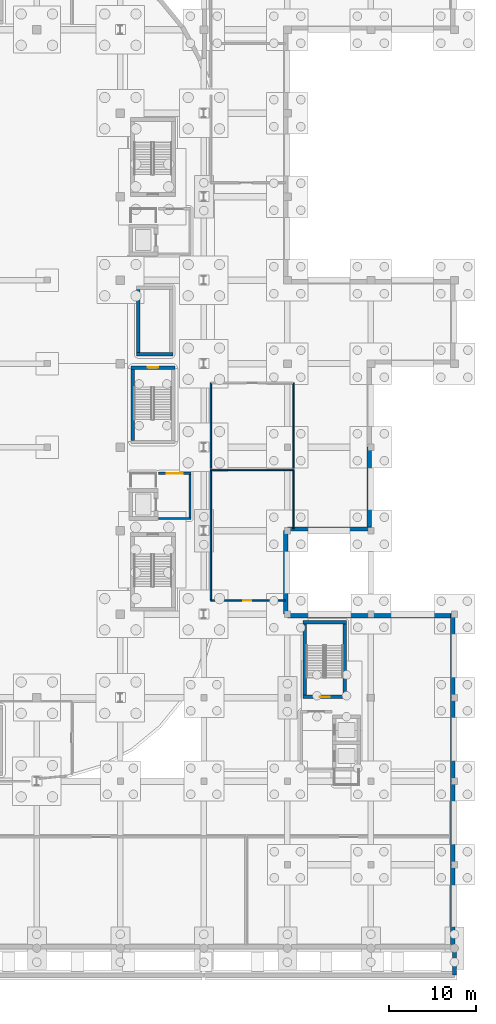
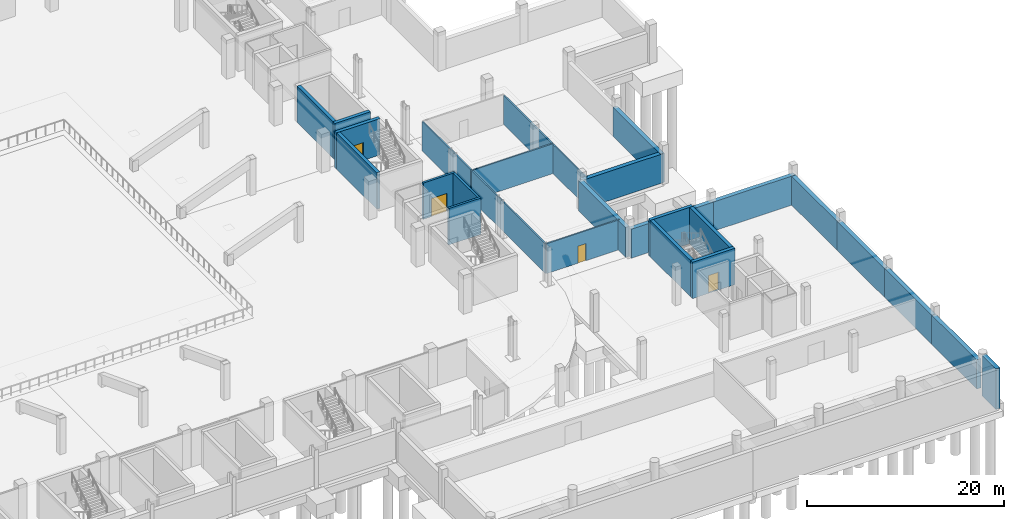
# One storey, part 33 of 67: 27 walls, 4 doors, 4 openings.
"""IFC4 building model written with IfcOpenShell, lengths in metres."""

from ifc_helpers import new_model, si_unit, direction, frame, frame_2d, origin, place, context, subcontext, project, spatial, rectangle, extrude, material, layer, layer_set, type_object, element, fill, save


model = new_model("IFC4")

# Units and contexts
model_context = context("Model", 3, precision=1e-05, world=origin(), true_north=direction((0.0, 1.0)))
body_context = subcontext(model_context, "Body", "Model", "MODEL_VIEW")
ifc_project = project(units=[si_unit("LENGTHUNIT", "METRE"), si_unit("AREAUNIT", "SQUARE_METRE"), si_unit("VOLUMEUNIT", "CUBIC_METRE"), si_unit("PLANEANGLEUNIT", "RADIAN"), si_unit("MASSUNIT", "GRAM", prefix="KILO")], contexts=[model_context])

# Site, building, storey
site_placement = place(None, origin())
site = spatial("IfcSite", under=ifc_project, at=site_placement, CompositionType="ELEMENT")
building_placement = place(site_placement, origin())
building = spatial("IfcBuilding", under=site, at=building_placement, Name="Caelomonte Colonnade Arena", CompositionType="ELEMENT")
storey_placement = place(building_placement, frame((0.0, 0.0, -4.800048828125)))
storey = spatial("IfcBuildingStorey", under=building, at=storey_placement, Name="B1", CompositionType="ELEMENT", Elevation=-4.800048828125)

# Walls
ifc_material_1 = material(Name="Concrete C40/50", Category="concrete")
ifc_layer_1 = layer(ifc_material_1, 0.47998046875)
ifc_layer_set_1 = layer_set([ifc_layer_1], Name="Concrete C40/50")
wall_type_1 = type_object("IfcWallType", Name="ENV-WL-RET48", PredefinedType="USERDEFINED", material=ifc_layer_set_1)
wall_1_placement = place(storey_placement, frame((192.0, -3.10009765625, -0.449951171875), z_axis=(0.0, 0.0, 1.0), x_axis=(0.0, 1.0, 0.0)))
element("IfcWall", 1, at=wall_1_placement, inside=storey, type_object=wall_type_1, Name="Portico forecourt stepped retaining plinth wall RW-V3-PLINTH-E", ObjectType="RETAINING WALL", PredefinedType="USERDEFINED", context=body_context, shape_type="SweptSolid", body=[
    extrude(rectangle(XDim=2.85009765625, YDim=0.47998046875, at=frame_2d((1.425048828125, 0.0))), origin(), (0.0, 0.0, 1.0), 5.030029296875),
])
wall_2_placement = place(storey_placement, frame((191.820068359375, 0.455078125, 0.0), z_axis=(0.0, 0.0, 1.0), x_axis=(0.0, 1.0, 0.0)))
element("IfcWall", 2, at=wall_2_placement, inside=storey, type_object=wall_type_1, Name="B1 exterior retaining plinth wall EW-B1-0025", ObjectType="RETAINING WALL", PredefinedType="USERDEFINED", context=body_context, shape_type="SweptSolid", body=[
    extrude(rectangle(XDim=9.14501953125, YDim=0.47998046875, at=frame_2d((4.572509765625, 0.0))), origin(), (0.0, 0.0, 1.0), 3.60009765625),
])
wall_3_placement = place(storey_placement, frame((191.820068359375, 9.60009765625, 0.0), z_axis=(0.0, 0.0, 1.0), x_axis=(0.0, 1.0, 0.0)))
element("IfcWall", 3, at=wall_3_placement, inside=storey, type_object=wall_type_1, Name="B1 exterior retaining plinth wall EW-B1-0026", ObjectType="RETAINING WALL", PredefinedType="USERDEFINED", context=body_context, shape_type="SweptSolid", body=[
    extrude(rectangle(XDim=9.599853515625, YDim=0.47998046875, at=frame_2d((4.7998046875, 0.0))), origin(), (0.0, 0.0, 1.0), 3.60009765625),
])
wall_4_placement = place(storey_placement, frame((191.820068359375, 19.199951171875, 0.0), z_axis=(0.0, 0.0, 1.0), x_axis=(0.0, 1.0, 0.0)))
element("IfcWall", 4, at=wall_4_placement, inside=storey, type_object=wall_type_1, Name="B1 exterior retaining plinth wall EW-B1-0027", ObjectType="RETAINING WALL", PredefinedType="USERDEFINED", context=body_context, shape_type="SweptSolid", body=[
    extrude(rectangle(XDim=9.60009765625, YDim=0.47998046875, at=frame_2d((4.800048828125, 0.0))), origin(), (0.0, 0.0, 1.0), 3.572998046875),
])
wall_5_placement = place(storey_placement, frame((191.820068359375, 28.800048828125, 0.0), z_axis=(0.0, 0.0, 1.0), x_axis=(0.0, 1.0, 0.0)))
element("IfcWall", 5, at=wall_5_placement, inside=storey, type_object=wall_type_1, Name="B1 exterior retaining plinth wall EW-B1-0028", ObjectType="RETAINING WALL", PredefinedType="USERDEFINED", context=body_context, shape_type="SweptSolid", body=[
    extrude(rectangle(XDim=9.599853515625, YDim=0.47998046875, at=frame_2d((4.7998046875, 0.0))), origin(), (0.0, 0.0, 1.0), 3.572998046875),
])
wall_6_placement = place(storey_placement, frame((192.0, 38.219970703125, 0.0), z_axis=(0.0, 0.0, 1.0), x_axis=(-1.0, 0.0, 0.0)))
element("IfcWall", 6, at=wall_6_placement, inside=storey, type_object=wall_type_1, Name="B1 exterior retaining plinth wall EW-B1-0029", ObjectType="RETAINING WALL", PredefinedType="USERDEFINED", context=body_context, shape_type="SweptSolid", body=[
    extrude(rectangle(XDim=9.60009765625, YDim=0.47998046875, at=frame_2d((4.800048828125, 0.0))), origin(), (0.0, 0.0, 1.0), 3.60009765625),
])
wall_7_placement = place(storey_placement, frame((182.39990234375, 38.219970703125, 0.0), z_axis=(0.0, 0.0, 1.0), x_axis=(-1.0, 0.0, 0.0)))
element("IfcWall", 7, at=wall_7_placement, inside=storey, type_object=wall_type_1, Name="B1 exterior retaining plinth wall EW-B1-0030", ObjectType="RETAINING WALL", PredefinedType="USERDEFINED", context=body_context, shape_type="SweptSolid", body=[
    extrude(rectangle(XDim=9.599853515625, YDim=0.47998046875, at=frame_2d((4.7998046875, 0.0))), origin(), (0.0, 0.0, 1.0), 3.60009765625),
])
wall_8_placement = place(storey_placement, frame((172.6201171875, 38.39990234375, 0.0), z_axis=(0.0, 0.0, 1.0), x_axis=(0.0, 1.0, 0.0)))
element("IfcWall", 8, at=wall_8_placement, inside=storey, type_object=wall_type_1, Name="B1 exterior retaining plinth wall EW-B1-0031", ObjectType="RETAINING WALL", PredefinedType="USERDEFINED", context=body_context, shape_type="SweptSolid", body=[
    extrude(rectangle(XDim=9.60009765625, YDim=0.47998046875, at=frame_2d((4.800048828125, 0.0))), origin(), (0.0, 0.0, 1.0), 3.699951171875),
])
wall_9_placement = place(storey_placement, frame((172.800048828125, 48.179931640625, 0.0), z_axis=(0.0, 0.0, 1.0), x_axis=(1.0, 0.0, 0.0)))
element("IfcWall", 9, at=wall_9_placement, inside=storey, type_object=wall_type_1, Name="B1 exterior retaining plinth wall EW-B1-0032", ObjectType="RETAINING WALL", PredefinedType="USERDEFINED", context=body_context, shape_type="SweptSolid", body=[
    extrude(rectangle(XDim=9.599853515625, YDim=0.47998046875, at=frame_2d((4.7998046875, 0.0))), origin(), (0.0, 0.0, 1.0), 3.60009765625),
])
wall_10_placement = place(storey_placement, frame((182.219970703125, 48.0, 0.0), z_axis=(0.0, 0.0, 1.0), x_axis=(0.0, 1.0, 0.0)))
element("IfcWall", 10, at=wall_10_placement, inside=storey, type_object=wall_type_1, Name="B1 exterior retaining plinth wall EW-B1-0033", ObjectType="RETAINING WALL", PredefinedType="USERDEFINED", context=body_context, shape_type="SweptSolid", body=[
    extrude(rectangle(XDim=9.60009765625, YDim=0.47998046875, at=frame_2d((4.800048828125, 0.0))), origin(), (0.0, 0.0, 1.0), 3.60009765625),
])
ifc_layer_2 = layer(ifc_material_1, 0.260009765625)
ifc_layer_set_2 = layer_set([ifc_layer_2], Name="Concrete C40/50")
wall_type_2 = type_object("IfcWallType", Name="INT-WL-FW26", PredefinedType="SOLIDWALL", material=ifc_layer_set_2)
wall_11_placement = place(storey_placement, frame((157.969970703125, 49.39990234375, 0.0), z_axis=(0.0, 0.0, 1.0), x_axis=(1.0, 0.0, 0.0)))
element("IfcWall", 11, at=wall_11_placement, inside=storey, type_object=wall_type_2, Name="FW-C2-LB B1 south enclosure wall", PredefinedType="SOLIDWALL", context=body_context, shape_type="SweptSolid", body=[
    extrude(rectangle(XDim=3.760009765625, YDim=0.260009765625, at=frame_2d((1.8798828125, 0.0))), origin(), (0.0, 0.0, 1.0), 4.5),
])

# Wall, opening, door
wall_12_placement = place(storey_placement, frame((161.72998046875, 54.60009765625, 0.0), z_axis=(0.0, 0.0, 1.0), x_axis=(-1.0, 0.0, 0.0)))
wall_12 = element("IfcWall", 12, at=wall_12_placement, inside=storey, type_object=wall_type_2, Name="FW-C2-LB B1 north enclosure wall", PredefinedType="SOLIDWALL", context=body_context, shape_type="SweptSolid", body=[
    extrude(rectangle(XDim=3.760009765625, YDim=0.260009765625, at=frame_2d((1.8798828125, 0.0))), origin(), (0.0, 0.0, 1.0), 4.5),
])
opening_1_placement = place(wall_12_placement, frame((2.80517578125, 0.0, 0.0), z_axis=(0.0, 0.0, 1.0), x_axis=(-1.0, 0.0, 0.0)))
opening_1 = element("IfcOpeningElement", 13, at=opening_1_placement, cuts=wall_12, Name="Opening FD-2", PredefinedType="OPENING", context=body_context, shape_type="SweptSolid", body=[
    extrude(rectangle(XDim=1.85009765625, YDim=2.25, at=frame_2d((0.925048828125, 1.125))), frame((0.0, 0.139892578125, 0.0), z_axis=(0.0, -1.0, 0.0), x_axis=(1.0, 0.0, 0.0)), (0.0, 0.0, 1.0), 0.280029296875),
])
ifc_material_2 = material(Name="Fire-rated double steel door", Category="steel")
door_type_1 = type_object("IfcDoorType", Name="INT-DR-FD90B", OperationType="DOUBLE_DOOR_SINGLE_SWING", PredefinedType="DOOR", material=ifc_material_2)
door_1_placement = place(opening_1_placement, origin())
door_1 = element("IfcDoor", 14, at=door_1_placement, inside=storey, type_object=door_type_1, Name="Core C2 B1 lobby fire door", OperationType="DOUBLE_DOOR_SINGLE_SWING", OverallHeight=2.25, OverallWidth=1.85009765625, PredefinedType="DOOR", context=body_context, shape_type="SweptSolid", body=[
    extrude(rectangle(XDim=1.85009765625, YDim=2.25, at=frame_2d((0.925048828125, 1.125))), frame((0.0, 0.02490234375, 0.0), z_axis=(0.0, -1.0, 0.0), x_axis=(1.0, 0.0, 0.0)), (0.0, 0.0, 1.0), 0.050048828125),
])
fill(opening_1, door_1)

# Wall
wall_13_placement = place(storey_placement, frame((161.60009765625, 49.530029296875, 0.0), z_axis=(0.0, 0.0, 1.0), x_axis=(0.0, 1.0, 0.0)))
element("IfcWall", 15, at=wall_13_placement, inside=storey, type_object=wall_type_2, Name="FW-C2-LB B1 east enclosure wall", PredefinedType="SOLIDWALL", context=body_context, shape_type="SweptSolid", body=[
    extrude(rectangle(XDim=4.93994140625, YDim=0.260009765625, at=frame_2d((2.469970703125, 0.0))), origin(), (0.0, 0.0, 1.0), 4.5),
])

# Wall, opening, door
ifc_material_3 = material(Name="Moisture-resistant WC partition")
ifc_layer_3 = layer(ifc_material_3, 0.159912109375)
ifc_layer_set_3 = layer_set([ifc_layer_3], Name="Moisture-resistant WC partition")
wall_type_3 = type_object("IfcWallType", Name="INT-WL-PT16", PredefinedType="PARTITIONING", material=ifc_layer_set_3)
wall_14_placement = place(storey_placement, frame((172.580078125, 40.0, 0.0), z_axis=(0.0, 0.0, 1.0), x_axis=(-1.0, 0.0, 0.0)))
wall_14 = element("IfcWall", 16, at=wall_14_placement, inside=storey, type_object=wall_type_3, Name="B1 Event Level Spectator Restroom partition 21", PredefinedType="PARTITIONING", context=body_context, shape_type="SweptSolid", body=[
    extrude(rectangle(XDim=8.580078125, YDim=0.159912109375, at=frame_2d((4.2900390625, 0.0))), origin(), (0.0, 0.0, 1.0), 3.699951171875),
])
opening_2_placement = place(wall_14_placement, frame((3.95751953125, 0.0, 0.0), z_axis=(0.0, 0.0, 1.0), x_axis=(1.0, 0.0, 0.0)))
opening_2 = element("IfcOpeningElement", 17, at=opening_2_placement, cuts=wall_14, Name="Opening D-B1-005", PredefinedType="OPENING", context=body_context, shape_type="SweptSolid", body=[
    extrude(rectangle(XDim=0.919921875, YDim=2.1201171875, at=frame_2d((0.4599609375, 1.06005859375))), frame((0.0, 0.08984375, 0.0), z_axis=(0.0, -1.0, 0.0), x_axis=(1.0, 0.0, 0.0)), (0.0, 0.0, 1.0), 0.179931640625),
])
ifc_material_4 = material(Name="Laminate restroom entrance door")
door_type_2 = type_object("IfcDoorType", Name="INT-DR-WC1", OperationType="NOTDEFINED", PredefinedType="DOOR", material=ifc_material_4)
door_2_placement = place(opening_2_placement, origin())
door_2 = element("IfcDoor", 18, at=door_2_placement, inside=storey, type_object=door_type_2, Name="B1 Event Level Spectator Restroom door D-B1-005", OperationType="SINGLE_SWING_LEFT", OverallHeight=2.1201171875, OverallWidth=0.919921875, PredefinedType="DOOR", context=body_context, shape_type="SweptSolid", body=[
    extrude(rectangle(XDim=0.919921875, YDim=2.1201171875, at=frame_2d((0.4599609375, 1.06005859375))), frame((0.0, 0.02490234375, 0.0), z_axis=(0.0, -1.0, 0.0), x_axis=(1.0, 0.0, 0.0)), (0.0, 0.0, 1.0), 0.050048828125),
])
fill(opening_2, door_2)

# Walls
wall_15_placement = place(storey_placement, frame((164.0, 40.0, 0.0), z_axis=(0.0, 0.0, 1.0), x_axis=(0.0, 1.0, 0.0)))
element("IfcWall", 19, at=wall_15_placement, inside=storey, type_object=wall_type_3, Name="B1 Event Level Spectator Restroom partition 22", PredefinedType="PARTITIONING", context=body_context, shape_type="SweptSolid", body=[
    extrude(rectangle(XDim=15.0, YDim=0.159912109375, at=frame_2d((7.5, 0.0))), origin(), (0.0, 0.0, 1.0), 3.654296875),
])
wall_16_placement = place(storey_placement, frame((164.0, 55.0, 0.0), z_axis=(0.0, 0.0, 1.0), x_axis=(1.0, 0.0, 0.0)))
element("IfcWall", 20, at=wall_16_placement, inside=storey, type_object=wall_type_3, Name="B1 Event Level Spectator Restroom partition 23", PredefinedType="PARTITIONING", context=body_context, shape_type="SweptSolid", body=[
    extrude(rectangle(XDim=9.5, YDim=0.159912109375, at=frame_2d((4.75, 0.0))), origin(), (0.0, 0.0, 1.0), 3.699951171875),
])
wall_17_placement = place(storey_placement, frame((173.5, 55.0, 0.0), z_axis=(0.0, 0.0, 1.0), x_axis=(0.0, -1.0, 0.0)))
element("IfcWall", 21, at=wall_17_placement, inside=storey, type_object=wall_type_3, Name="B1 Event Level Spectator Restroom partition 24", PredefinedType="PARTITIONING", context=body_context, shape_type="SweptSolid", body=[
    extrude(rectangle(XDim=6.780029296875, YDim=0.159912109375, at=frame_2d((3.39013671875, 0.0))), origin(), (0.0, 0.0, 1.0), 3.60009765625),
])
wall_18_placement = place(storey_placement, frame((173.5, 65.0, 0.0), z_axis=(0.0, 0.0, 1.0), x_axis=(0.0, -1.0, 0.0)))
element("IfcWall", 22, at=wall_18_placement, inside=storey, type_object=wall_type_3, Name="B1 Event Level Accessible WC partition 26", PredefinedType="PARTITIONING", context=body_context, shape_type="SweptSolid", body=[
    extrude(rectangle(XDim=9.800048828125, YDim=0.159912109375, at=frame_2d((4.89990234375, 0.0))), origin(), (0.0, 0.0, 1.0), 3.60009765625),
])
wall_19_placement = place(storey_placement, frame((164.0, 55.199951171875, 0.0), z_axis=(0.0, 0.0, 1.0), x_axis=(0.0, 1.0, 0.0)))
element("IfcWall", 23, at=wall_19_placement, inside=storey, type_object=wall_type_3, Name="B1 Event Level Accessible WC partition 27", PredefinedType="PARTITIONING", context=body_context, shape_type="SweptSolid", body=[
    extrude(rectangle(XDim=9.800048828125, YDim=0.159912109375, at=frame_2d((4.89990234375, 0.0))), origin(), (0.0, 0.0, 1.0), 3.654296875),
])

# Wall, opening, door
ifc_material_5 = material(Name="Concrete C50/60", Category="concrete")
ifc_layer_4 = layer(ifc_material_5, 0.39990234375)
ifc_layer_set_4 = layer_set([ifc_layer_4], Name="Concrete C50/60")
wall_type_4 = type_object("IfcWallType", Name="INT-WL-SH40", PredefinedType="SHEAR", material=ifc_layer_set_4)
wall_20_placement = place(storey_placement, frame((174.60009765625, 28.89990234375, 0.0), z_axis=(0.0, 0.0, 1.0), x_axis=(1.0, 0.0, 0.0)))
wall_20 = element("IfcWall", 24, at=wall_20_placement, inside=storey, type_object=wall_type_4, Name="CW-C5-ST B1 south enclosure wall", PredefinedType="SHEAR", context=body_context, shape_type="SweptSolid", body=[
    extrude(rectangle(XDim=5.0, YDim=0.39990234375, at=frame_2d((2.5, 0.0))), origin(), (0.0, 0.0, 1.0), 4.5),
])
opening_3_placement = place(wall_20_placement, frame((3.099853515625, 0.0, 0.0), z_axis=(0.0, 0.0, 1.0), x_axis=(-1.0, 0.0, 0.0)))
opening_3 = element("IfcOpeningElement", 25, at=opening_3_placement, cuts=wall_20, Name="Opening FD-1", PredefinedType="OPENING", context=body_context, shape_type="SweptSolid", body=[
    extrude(rectangle(XDim=1.199951171875, YDim=2.199951171875, at=frame_2d((0.60009765625, 1.10009765625))), frame((0.0, 0.2099609375, 0.0), z_axis=(0.0, -1.0, 0.0), x_axis=(1.0, 0.0, 0.0)), (0.0, 0.0, 1.0), 0.419921875),
])
ifc_material_6 = material(Name="Fire-rated steel door", Category="steel")
door_type_3 = type_object("IfcDoorType", Name="INT-DR-FD90A", OperationType="NOTDEFINED", PredefinedType="DOOR", material=ifc_material_6)
door_3_placement = place(opening_3_placement, origin())
door_3 = element("IfcDoor", 26, at=door_3_placement, inside=storey, type_object=door_type_3, Name="Core C5 B1 exit stair fire door", OperationType="SINGLE_SWING_RIGHT", OverallHeight=2.199951171875, OverallWidth=1.199951171875, PredefinedType="DOOR", context=body_context, shape_type="SweptSolid", body=[
    extrude(rectangle(XDim=1.199951171875, YDim=2.199951171875, at=frame_2d((0.60009765625, 1.10009765625))), frame((0.0, 0.02490234375, 0.0), z_axis=(0.0, -1.0, 0.0), x_axis=(1.0, 0.0, 0.0)), (0.0, 0.0, 1.0), 0.050048828125),
])
fill(opening_3, door_3)

# Walls
wall_21_placement = place(storey_placement, frame((179.60009765625, 37.449951171875, 0.0), z_axis=(0.0, 0.0, 1.0), x_axis=(-1.0, 0.0, 0.0)))
element("IfcWall", 27, at=wall_21_placement, inside=storey, type_object=wall_type_4, Name="CW-C5-ST B1 north enclosure wall", PredefinedType="SHEAR", context=body_context, shape_type="SweptSolid", body=[
    extrude(rectangle(XDim=5.0, YDim=0.39990234375, at=frame_2d((2.5, 0.0))), origin(), (0.0, 0.0, 1.0), 4.5),
])
for number, where, z_axis, x_axis, name in (
    (28, (174.800048828125, 37.25, 0.0), (0.0, 0.0, 1.0), (0.0, -1.0, 0.0), "CW-C5-ST B1 west enclosure wall"),
    (29, (179.39990234375, 29.10009765625, 0.0), (0.0, 0.0, 1.0), (0.0, 1.0, 0.0), "CW-C5-ST B1 east enclosure wall"),
):
    element("IfcWall", number, at=place(storey_placement, frame(where, z_axis=z_axis, x_axis=x_axis)), inside=storey, type_object=wall_type_4, Name=name, PredefinedType="SHEAR", context=body_context, shape_type="SweptSolid", body=[
        extrude(rectangle(XDim=8.14990234375, YDim=0.39990234375, at=frame_2d((4.074951171875, 0.0))), origin(), (0.0, 0.0, 1.0), 4.5),
    ])

# Wall, opening, door
wall_22_placement = place(storey_placement, frame((159.89990234375, 66.75, 0.0), z_axis=(0.0, 0.0, 1.0), x_axis=(-1.0, 0.0, 0.0)))
wall_22 = element("IfcWall", 30, at=wall_22_placement, inside=storey, type_object=wall_type_4, Name="CW-ST-10 B1 north enclosure wall", PredefinedType="SHEAR", context=body_context, shape_type="SweptSolid", body=[
    extrude(rectangle(XDim=5.099853515625, YDim=0.39990234375, at=frame_2d((2.5498046875, 0.0))), origin(), (0.0, 0.0, 1.0), 4.5),
])
opening_4_placement = place(wall_22_placement, frame((3.14990234375, 0.0, 0.0), z_axis=(0.0, 0.0, 1.0), x_axis=(-1.0, 0.0, 0.0)))
opening_4 = element("IfcOpeningElement", 31, at=opening_4_placement, cuts=wall_22, Name="Opening FD-1", PredefinedType="OPENING", context=body_context, shape_type="SweptSolid", body=[
    extrude(rectangle(XDim=1.199951171875, YDim=2.199951171875, at=frame_2d((0.60009765625, 1.10009765625))), frame((0.0, 0.2099609375, 0.0), z_axis=(0.0, -1.0, 0.0), x_axis=(1.0, 0.0, 0.0)), (0.0, 0.0, 1.0), 0.419921875),
])
door_4_placement = place(opening_4_placement, origin())
door_4 = element("IfcDoor", 32, at=door_4_placement, inside=storey, type_object=door_type_3, Name="Protected exit stair ST-10 B1 fire door", OperationType="SINGLE_SWING_LEFT", OverallHeight=2.199951171875, OverallWidth=1.199951171875, PredefinedType="DOOR", context=body_context, shape_type="SweptSolid", body=[
    extrude(rectangle(XDim=1.199951171875, YDim=2.199951171875, at=frame_2d((0.60009765625, 1.10009765625))), frame((0.0, 0.02490234375, 0.0), z_axis=(0.0, -1.0, 0.0), x_axis=(1.0, 0.0, 0.0)), (0.0, 0.0, 1.0), 0.050048828125),
])
fill(opening_4, door_4)

# Walls
wall_23_placement = place(storey_placement, frame((155.0, 66.550048828125, 0.0), z_axis=(0.0, 0.0, 1.0), x_axis=(0.0, -1.0, 0.0)))
element("IfcWall", 33, at=wall_23_placement, inside=storey, type_object=wall_type_4, Name="CW-ST-10 B1 west enclosure wall", PredefinedType="SHEAR", context=body_context, shape_type="SweptSolid", body=[
    extrude(rectangle(XDim=8.150146484375, YDim=0.39990234375, at=frame_2d((4.0751953125, 0.0))), origin(), (0.0, 0.0, 1.0), 4.5),
])
wall_24_placement = place(storey_placement, frame((155.469970703125, 68.27001953125, 0.0), z_axis=(0.0, 0.0, 1.0), x_axis=(1.0, 0.0, 0.0)))
element("IfcWall", 34, at=wall_24_placement, inside=storey, type_object=wall_type_4, Name="CW-ST-V08 B1 south enclosure wall", PredefinedType="SHEAR", context=body_context, shape_type="SweptSolid", body=[
    extrude(rectangle(XDim=4.159912109375, YDim=0.39990234375, at=frame_2d((2.080078125, 0.0))), origin(), (0.0, 0.0, 1.0), 4.5),
])
wall_25_placement = place(storey_placement, frame((155.669921875, 75.72998046875, 0.0), z_axis=(0.0, 0.0, 1.0), x_axis=(0.0, -1.0, 0.0)))
element("IfcWall", 35, at=wall_25_placement, inside=storey, type_object=wall_type_4, Name="CW-ST-V08 B1 west enclosure wall", PredefinedType="SHEAR", context=body_context, shape_type="SweptSolid", body=[
    extrude(rectangle(XDim=7.260009765625, YDim=0.39990234375, at=frame_2d((3.6298828125, 0.0))), origin(), (0.0, 0.0, 1.0), 4.5),
])

save(model, "model.ifc")
